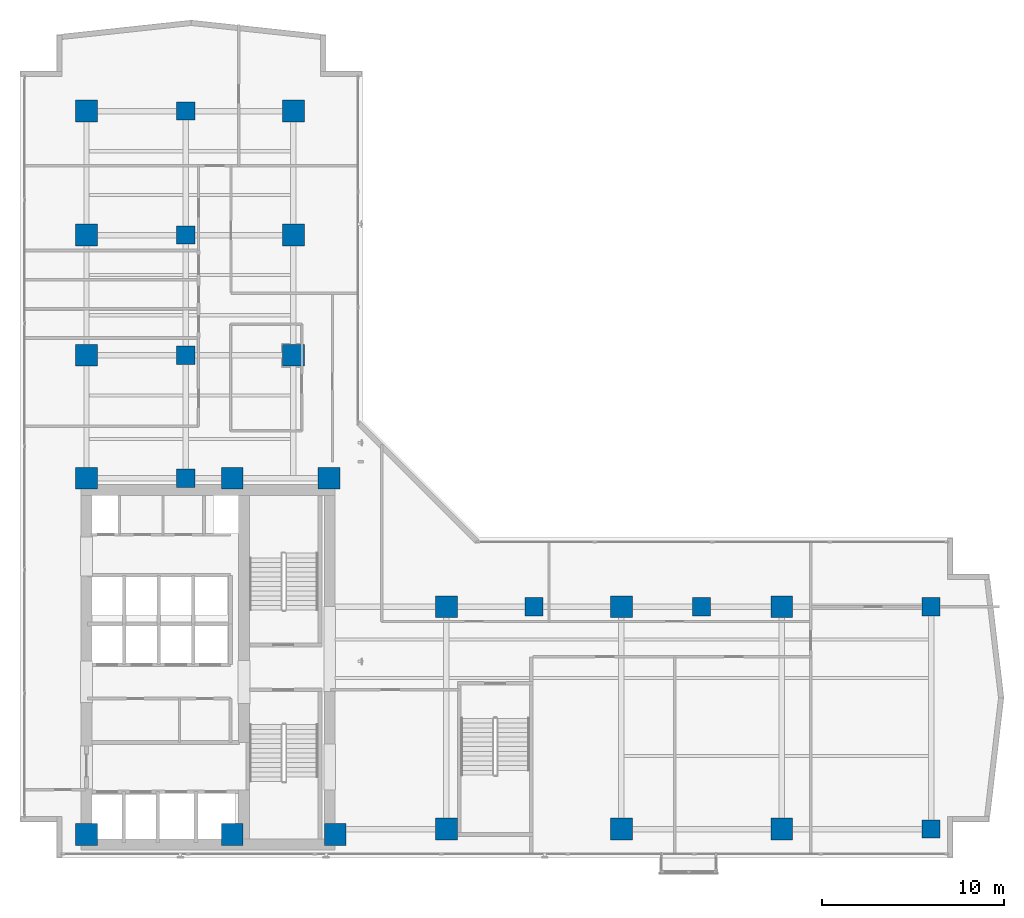
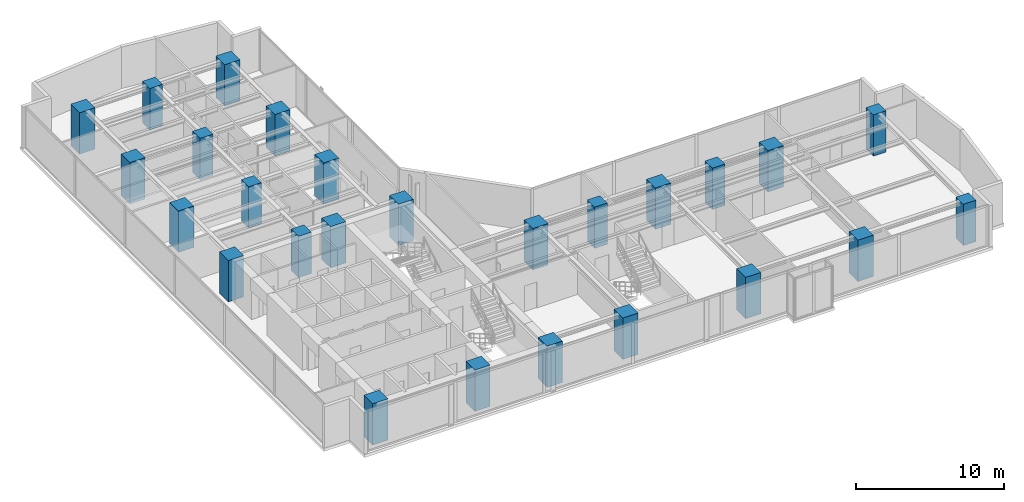
# One storey, part 1 of 26: 26 columns.
"""IFC4 building model written with IfcOpenShell, lengths in metres."""

import ifcopenshell
import ifcopenshell.guid

model = None  # the IFC model being written
_history = None  # IfcOwnerHistory: only IFC2X3 demands one
_inside = {}  # id of a spatial element -> (the spatial element, [elements in it])
_under = {}  # id of a project, library or spatial element -> (it, [spatial elements below it])
_declared = {}  # id of a project -> (the project, [libraries it declares])
_typed = {}  # id of a type object -> (the type object, [elements of that type])
_made_of = {}  # id of a material, layer set ... -> (it, [elements and type objects made of it])


def new_model(schema):
    """Start an empty IFC model of exactly this schema.

    Asked for "IFC4X3", IfcOpenShell would pick the latest addendum, in which some entities
    have other attributes; the version numbers below select the first issue.
    IFC2X3 requires an IfcOwnerHistory on every rooted entity: one is made here for all.
    """
    global model, _history
    if schema == "IFC4X3":
        model = ifcopenshell.file(schema_version=(4, 3, 0, 0))
    else:
        model = ifcopenshell.file(schema=schema)
    _inside.clear()
    _under.clear()
    _declared.clear()
    _typed.clear()
    _made_of.clear()
    _history = None
    if model.schema == "IFC2X3":
        org = make("IfcOrganization", Name="unknown")
        user = make(
            "IfcPersonAndOrganization",
            ThePerson=make("IfcPerson", FamilyName="unknown"),
            TheOrganization=org,
        )
        app = make(
            "IfcApplication",
            ApplicationDeveloper=org,
            Version="unknown",
            ApplicationFullName="unknown",
            ApplicationIdentifier="unknown",
        )
        _history = make(
            "IfcOwnerHistory",
            OwningUser=user,
            OwningApplication=app,
            ChangeAction="ADDED",
            CreationDate=0,
        )
    return model


def make(cls, **values):
    """One entity of the class cls with the attributes given. An attribute that is None is left unset."""
    return model.create_entity(
        cls, **{name: value for name, value in values.items() if value is not None}
    )


def rooted(cls, **values):
    """An entity with a GlobalId (a new one), such as an element, a storey or a relation."""
    return make(cls, GlobalId=ifcopenshell.guid.new(), OwnerHistory=_history, **values)


def si_unit(unit_type, name, prefix=None):
    """IfcSIUnit, for example si_unit("LENGTHUNIT", "METRE", prefix="MILLI")."""
    return make("IfcSIUnit", UnitType=unit_type, Prefix=prefix, Name=name)


def assignment(units):
    """IfcUnitAssignment: the units of a project."""
    return None if units is None else make("IfcUnitAssignment", Units=units)


def point(xyz):
    """IfcCartesianPoint."""
    return None if xyz is None else make("IfcCartesianPoint", Coordinates=xyz)


def direction(xyz):
    """IfcDirection."""
    return None if xyz is None else make("IfcDirection", DirectionRatios=xyz)


def frame(location, z_axis=None, x_axis=None):
    """IfcAxis2Placement3D, a coordinate frame: its origin and axes. An axis left out is left unset."""
    return make(
        "IfcAxis2Placement3D",
        Location=point(location),
        Axis=direction(z_axis),
        RefDirection=direction(x_axis),
    )


def frame_2d(location, x_axis=None):
    """IfcAxis2Placement2D, a coordinate frame in the plane: its origin and x axis."""
    return make(
        "IfcAxis2Placement2D", Location=point(location), RefDirection=direction(x_axis)
    )


def origin():
    """The frame at (0, 0, 0) with its axes left unset."""
    return frame((0.0, 0.0, 0.0))


def origin_2d():
    """The frame at (0, 0) in the plane with its x axis left unset."""
    return frame_2d((0.0, 0.0))


def place(relative_to, where):
    """IfcLocalPlacement: puts the frame where relative to a parent placement (None: the world)."""
    return make(
        "IfcLocalPlacement", PlacementRelTo=relative_to, RelativePlacement=where
    )


def context(
    kind, dimensions, precision=None, world=None, true_north=None, identifier=None
):
    """IfcGeometricRepresentationContext, for example the 3D "Model" context."""
    return make(
        "IfcGeometricRepresentationContext",
        ContextIdentifier=identifier,
        ContextType=kind,
        CoordinateSpaceDimension=dimensions,
        Precision=precision,
        WorldCoordinateSystem=world,
        TrueNorth=true_north,
    )


def subcontext(parent, identifier, kind, view, scale=None):
    """IfcGeometricRepresentationSubContext, for example "Body" below "Model"."""
    return make(
        "IfcGeometricRepresentationSubContext",
        ContextIdentifier=identifier,
        ContextType=kind,
        ParentContext=parent,
        TargetScale=scale,
        TargetView=view,
    )


def project(units=None, contexts=None):
    """IfcProject with its units and contexts."""
    return rooted(
        "IfcProject",
        Name="project",
        RepresentationContexts=contexts,
        UnitsInContext=assignment(units),
    )


def spatial(cls, under=None, at=None, **own):
    """A site, building, storey or space (cls), placed at a placement, below another one or the project."""
    s = rooted(cls, ObjectPlacement=at, **own)
    if under is not None:
        _under.setdefault(under.id(), (under, []))[1].append(s)
    return s


def profile(cls, at=None, kind="AREA", **sizes):
    """A parametric profile (cls). Its sizes go by their IFC names, for example OverallWidth=200.0."""
    return make(cls, ProfileType=kind, Position=at, **sizes)


def rectangle(**sizes):
    """IfcRectangleProfileDef."""
    return profile("IfcRectangleProfileDef", **sizes)


def extrude(swept, where, along, depth):
    """IfcExtrudedAreaSolid: the profile swept, set in the frame where, extruded along a direction by depth."""
    return make(
        "IfcExtrudedAreaSolid",
        SweptArea=swept,
        Position=where,
        ExtrudedDirection=direction(along),
        Depth=depth,
    )


def shape(context_of_items, identifier, shape_type, items):
    """IfcShapeRepresentation: the items that make up one representation, for example the "Body"."""
    return make(
        "IfcShapeRepresentation",
        ContextOfItems=context_of_items,
        RepresentationIdentifier=identifier,
        RepresentationType=shape_type,
        Items=items,
    )


def material(Name=None, Category=None):
    """IfcMaterial."""
    return make("IfcMaterial", Name=Name, Category=Category)


def material_profile(
    of_material, cross_section, Name=None, Category=None, Priority=None
):
    """IfcMaterialProfile: a cross section and its material."""
    return make(
        "IfcMaterialProfile",
        Name=Name,
        Material=of_material,
        Profile=cross_section,
        Priority=Priority,
        Category=Category,
    )


def profile_set(profiles, Name=None, composite=None):
    """IfcMaterialProfileSet."""
    return make(
        "IfcMaterialProfileSet",
        Name=Name,
        MaterialProfiles=profiles,
        CompositeProfile=composite,
    )


def made_of(thing, what):
    """Note that an element or type object is made of a material, layer set ...; save() writes the relation."""
    if what is not None:
        _made_of.setdefault(what.id(), (what, []))[1].append(thing)
    return thing


def type_object(cls, material=None, **own):
    """A type object (cls), such as IfcWallType, which elements share."""
    return made_of(rooted(cls, **own), material)


def element(
    cls,
    number,
    at=None,
    inside=None,
    cuts=None,
    type_object=None,
    material=None,
    context=None,
    identifier="Body",
    shape_type=None,
    held_by="IfcProductDefinitionShape",
    body=None,
    shapes=None,
    **own,
):
    """One element of the class cls, such as IfcWall. Its Tag is "e" and its number.

    at: its placement. inside: the storey or other place that contains it. cuts: it is an
    opening in that element (IfcRelVoidsElement). A single representation is given by context,
    identifier, shape_type and body (its items); several are given by shapes. held_by: the class
    of the entity that holds the representations. save() writes the other relations.
    """
    e = rooted(cls, Tag="e%d" % number, ObjectPlacement=at, **own)
    if body is not None:
        shapes = [shape(context, identifier, shape_type, body)]
    if shapes is not None:
        e.Representation = make(held_by, Representations=shapes)
    if inside is not None:
        _inside.setdefault(inside.id(), (inside, []))[1].append(e)
    if cuts is not None:
        rooted(
            "IfcRelVoidsElement", RelatingBuildingElement=cuts, RelatedOpeningElement=e
        )
    if type_object is not None:
        _typed.setdefault(type_object.id(), (type_object, []))[1].append(e)
    return made_of(e, material)


def aggregate(whole, parts):
    """IfcRelAggregates: a whole, such as a stair, and the parts it consists of."""
    return rooted("IfcRelAggregates", RelatingObject=whole, RelatedObjects=parts)


def save(model, path):
    """Write the relations noted so far, then the file.

    IfcRelAggregates (storeys below a building ...), IfcRelContainedInSpatialStructure (elements
    in a storey), IfcRelDefinesByType, IfcRelAssociatesMaterial and IfcRelDeclares: one each for
    every whole, place, type object, material and project.
    """
    for whole, parts in _under.values():
        aggregate(whole, parts)
    for where, things in _inside.values():
        rooted(
            "IfcRelContainedInSpatialStructure",
            RelatedElements=things,
            RelatingStructure=where,
        )
    for kind, things in _typed.values():
        rooted("IfcRelDefinesByType", RelatedObjects=things, RelatingType=kind)
    for what, things in _made_of.values():
        rooted("IfcRelAssociatesMaterial", RelatedObjects=things, RelatingMaterial=what)
    for by, libraries in _declared.values():
        rooted("IfcRelDeclares", RelatingContext=by, RelatedDefinitions=libraries)
    model.write(path)


model = new_model("IFC4")

# Units and contexts
model_context = context("Model", 3, precision=1e-05, world=origin(), true_north=direction((0.0, 1.0)))
body_context = subcontext(model_context, "Body", "Model", "MODEL_VIEW")
ifc_project = project(units=[si_unit("LENGTHUNIT", "METRE"), si_unit("AREAUNIT", "SQUARE_METRE"), si_unit("VOLUMEUNIT", "CUBIC_METRE"), si_unit("PLANEANGLEUNIT", "RADIAN"), si_unit("MASSUNIT", "GRAM", prefix="KILO")], contexts=[model_context])

# Site, building, storey
site_placement = place(None, origin())
site = spatial("IfcSite", under=ifc_project, at=site_placement, CompositionType="ELEMENT")
building_placement = place(site_placement, origin())
building = spatial("IfcBuilding", under=site, at=building_placement, Name="Kolvaren Waterfront Exchange", CompositionType="ELEMENT")
storey_placement = place(building_placement, frame((0.0, 0.0, 195.60009765625)))
storey = spatial("IfcBuildingStorey", under=building, at=storey_placement, Name="L50", CompositionType="ELEMENT", Elevation=195.60009765625)

# Columns
ifc_material = material(Name="Concrete C60/75", Category="concrete")
ifc_material_profile_1 = material_profile(ifc_material, rectangle(XDim=1.0, YDim=1.0, at=origin_2d()), Name="RC-COL-1000x1000")
ifc_profile_set_1 = profile_set([ifc_material_profile_1], Name="Concrete C60/75")
column_type_1 = type_object("IfcColumnType", Name="STR-COL-1000-C60", PredefinedType="COLUMN", material=ifc_profile_set_1)
for number, where, z_axis, x_axis, name in (
    (1, (53.800048828125, 5.199951171875, 0.0), (0.0, 0.0, 1.0), (1.0, 0.0, 0.0), "L50 column ZC01"),
    (2, (53.800048828125, 17.39990234375, 0.0), (0.0, 0.0, 1.0), (1.0, 0.0, 0.0), "L50 column ZC02"),
    (3, (12.89990234375, 24.449951171875, 0.0), (0.0, 0.0, 1.0), (1.0, 0.0, 0.0), "L50 column TC01"),
    (4, (12.89990234375, 31.199951171875, 0.0), (0.0, 0.0, 1.0), (1.0, 0.0, 0.0), "L50 column TC02"),
    (5, (12.89990234375, 37.800048828125, 0.0), (0.0, 0.0, 1.0), (1.0, 0.0, 0.0), "L50 column TC03"),
    (6, (12.89990234375, 44.60009765625, 0.0), (0.0, 0.0, 1.0), (1.0, 0.0, 0.0), "L50 column TC04"),
    (7, (32.0, 17.39990234375, 0.0), (0.0, 0.0, 1.0), (1.0, 0.0, 0.0), "L50 column TC05"),
    (8, (41.199951171875, 17.39990234375, 0.0), (0.0, 0.0, 1.0), (1.0, 0.0, 0.0), "L50 column TC06"),
):
    element("IfcColumn", number, at=place(storey_placement, frame(where, z_axis=z_axis, x_axis=x_axis)), inside=storey, type_object=column_type_1, Name=name, PredefinedType="COLUMN", context=body_context, shape_type="SweptSolid", body=[
        extrude(rectangle(XDim=1.0, YDim=1.0, at=origin_2d()), origin(), (0.0, 0.0, 1.0), 3.419921875),
    ])
ifc_material_profile_2 = material_profile(ifc_material, rectangle(XDim=1.199951171875, YDim=1.199951171875, at=origin_2d()), Name="RC-COL-1200x1200")
ifc_profile_set_2 = profile_set([ifc_material_profile_2], Name="Concrete C60/75")
column_type_2 = type_object("IfcColumnType", Name="STR-COL-1200-C60", PredefinedType="COLUMN", material=ifc_profile_set_2)
for number, where, z_axis, x_axis, name in (
    (9, (7.449951171875, 4.89990234375, 0.0), (0.0, 0.0, 1.0), (1.0, 0.0, 0.0), "L50 column MC01"),
    (10, (15.449951171875, 4.89990234375, 0.0), (0.0, 0.0, 1.0), (1.0, 0.0, 0.0), "L50 column MC02"),
    (11, (21.10009765625, 4.89990234375, 0.0), (0.0, 0.0, 1.0), (1.0, 0.0, 0.0), "L50 column MC03"),
    (12, (7.449951171875, 24.449951171875, 0.0), (0.0, 0.0, 1.0), (1.0, 0.0, 0.0), "L50 column MC04"),
    (13, (15.449951171875, 24.449951171875, 0.0), (0.0, 0.0, 1.0), (1.0, 0.0, 0.0), "L50 column MC05"),
    (14, (20.75, 24.449951171875, 0.0), (0.0, 0.0, 1.0), (1.0, 0.0, 0.0), "L50 column MC06"),
    (15, (7.449951171875, 31.199951171875, 0.0), (0.0, 0.0, 1.0), (1.0, 0.0, 0.0), "L50 column NC01"),
    (16, (7.449951171875, 37.800048828125, 0.0), (0.0, 0.0, 1.0), (1.0, 0.0, 0.0), "L50 column NC02"),
    (17, (7.449951171875, 44.60009765625, 0.0), (0.0, 0.0, 1.0), (1.0, 0.0, 0.0), "L50 column NC03"),
    (18, (18.800048828125, 31.199951171875, 0.0), (0.0, 0.0, 1.0), (1.0, 0.0, 0.0), "L50 column NC04"),
    (19, (18.800048828125, 37.800048828125, 0.0), (0.0, 0.0, 1.0), (1.0, 0.0, 0.0), "L50 column NC05"),
    (20, (18.800048828125, 44.60009765625, 0.0), (0.0, 0.0, 1.0), (1.0, 0.0, 0.0), "L50 column NC06"),
    (21, (27.199951171875, 5.199951171875, 0.0), (0.0, 0.0, 1.0), (1.0, 0.0, 0.0), "L50 column EC01"),
    (22, (36.800048828125, 5.199951171875, 0.0), (0.0, 0.0, 1.0), (1.0, 0.0, 0.0), "L50 column EC02"),
    (23, (45.60009765625, 5.199951171875, 0.0), (0.0, 0.0, 1.0), (1.0, 0.0, 0.0), "L50 column EC03"),
    (24, (27.199951171875, 17.39990234375, 0.0), (0.0, 0.0, 1.0), (1.0, 0.0, 0.0), "L50 column EC04"),
    (25, (36.800048828125, 17.39990234375, 0.0), (0.0, 0.0, 1.0), (1.0, 0.0, 0.0), "L50 column EC05"),
    (26, (45.60009765625, 17.39990234375, 0.0), (0.0, 0.0, 1.0), (1.0, 0.0, 0.0), "L50 column EC06"),
):
    element("IfcColumn", number, at=place(storey_placement, frame(where, z_axis=z_axis, x_axis=x_axis)), inside=storey, type_object=column_type_2, Name=name, PredefinedType="COLUMN", context=body_context, shape_type="SweptSolid", body=[
        extrude(rectangle(XDim=1.199951171875, YDim=1.199951171875, at=origin_2d()), origin(), (0.0, 0.0, 1.0), 3.419921875),
    ])

save(model, "model.ifc")
